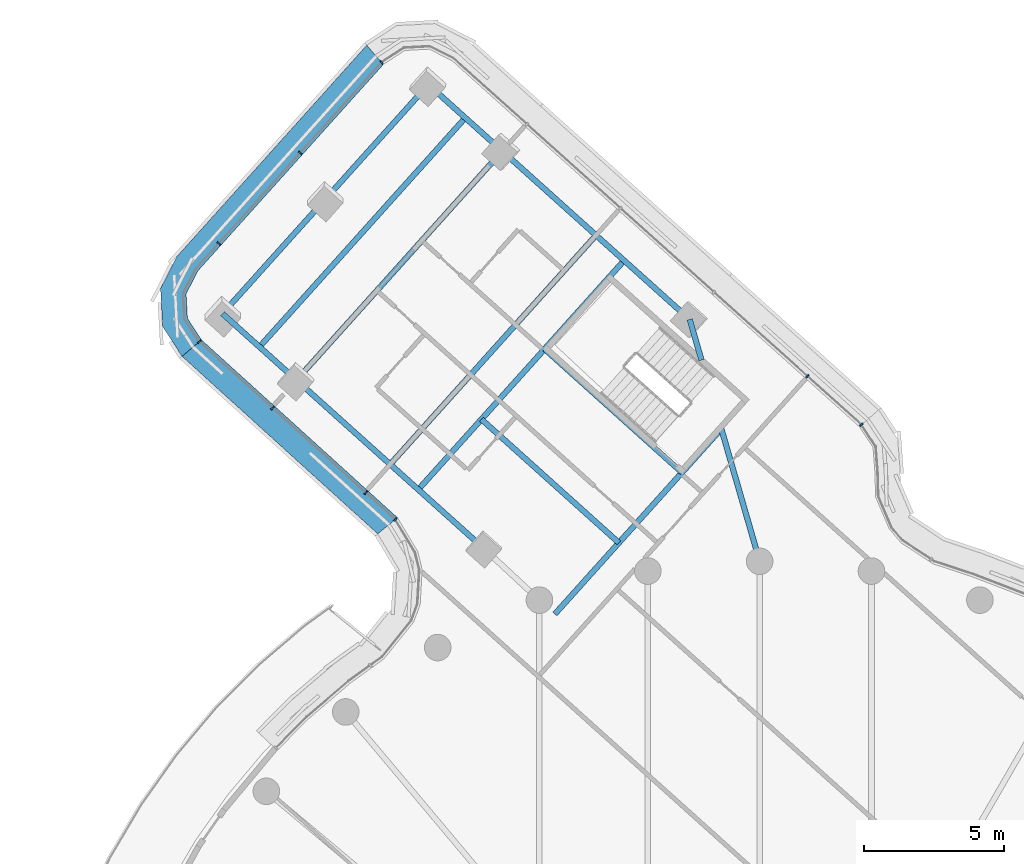
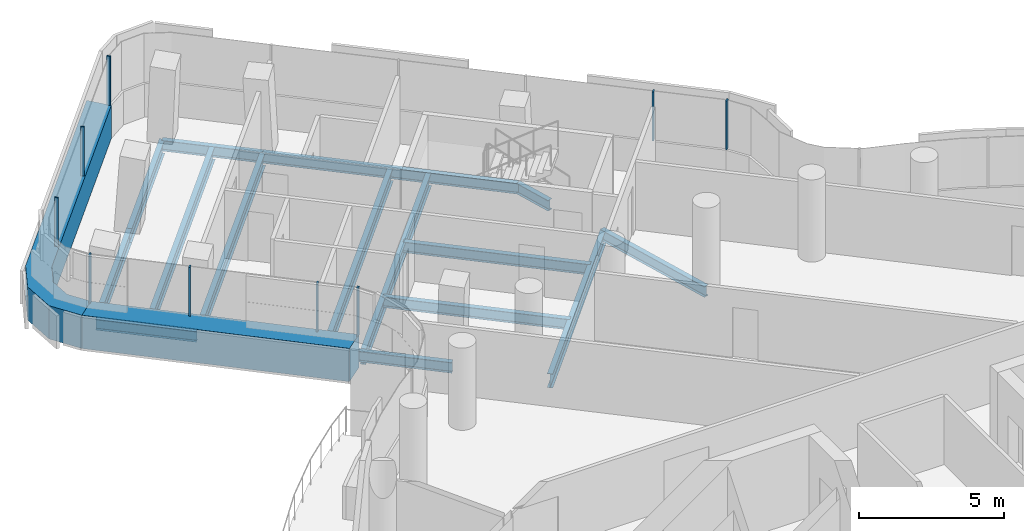
# One storey, part 14 of 31: 15 beams, 11 members, 4 elements without a shape of their own.
"""IFC4 building model written with IfcOpenShell, lengths in metres."""

from ifc_helpers import new_model, si_unit, direction, frame, origin, origin_2d, place, context, subcontext, project, spatial, polyline, rectangle, i_section, outline, extrude, material, layer, layer_set, material_profile, profile_set, type_object, element, aggregate, save


model = new_model("IFC4")

# Units and contexts
model_context = context("Model", 3, precision=1e-05, world=origin(), true_north=direction((0.0, 1.0)))
body_context = subcontext(model_context, "Body", "Model", "MODEL_VIEW")
ifc_project = project(units=[si_unit("LENGTHUNIT", "METRE"), si_unit("AREAUNIT", "SQUARE_METRE"), si_unit("VOLUMEUNIT", "CUBIC_METRE"), si_unit("PLANEANGLEUNIT", "RADIAN"), si_unit("MASSUNIT", "GRAM", prefix="KILO")], contexts=[model_context])

# Site, building, storey
site_placement = place(None, origin())
site = spatial("IfcSite", under=ifc_project, at=site_placement, CompositionType="ELEMENT")
building_placement = place(site_placement, origin())
building = spatial("IfcBuilding", under=site, at=building_placement, Name="Tamarind Cross Interchange Tower", CompositionType="ELEMENT")
storey_placement = place(building_placement, frame((0.0, 0.0, 207.699951171875)))
storey = spatial("IfcBuildingStorey", under=building, at=storey_placement, Name="L52", CompositionType="ELEMENT", Elevation=207.699951171875)

# Beams
ifc_material_1 = material(Name="Steel Q355B", Category="steel")
ifc_material_profile_1 = material_profile(ifc_material_1, i_section(OverallWidth=0.198974609375, OverallDepth=0.446044921875, WebThickness=0.008056640625, FlangeThickness=0.011962890625, FilletRadius=0.012939453125, at=origin_2d()), Name="HN 446x199x8x12")
ifc_profile_set_1 = profile_set([ifc_material_profile_1], Name="Steel Q355B")
beam_type_1 = type_object("IfcBeamType", Name="Composite beam HN 446x199x8x12 Q355B", PredefinedType="BEAM", material=ifc_profile_set_1)
beam_1_placement = place(storey_placement, frame((-11.8349609375, 40.027587890625, -0.363037109375), z_axis=(0.743833898738, -0.66836451962, 0.0), x_axis=(0.66836451962, 0.743833898738, 0.0)))
element("IfcBeam", 1, at=beam_1_placement, inside=storey, type_object=beam_type_1, Name="Beam N-edgeem5", PredefinedType="BEAM", context=body_context, shape_type="SweptSolid", body=[
    extrude(i_section(OverallWidth=0.198974609375, OverallDepth=0.446044921875, WebThickness=0.008056640625, FlangeThickness=0.011962890625, FilletRadius=0.012939453125, at=origin_2d()), origin(), (0.0, 0.0, 1.0), 3.552001953125),
])
beam_2_placement = place(storey_placement, frame((-9.19287109375, 37.653564453125, -0.363037109375), z_axis=(0.743857689885, -0.668338041113, 0.0), x_axis=(0.668338041113, 0.743857689885, 0.0)))
element("IfcBeam", 2, at=beam_2_placement, inside=storey, type_object=beam_type_1, Name="Beam N-edgeem6", PredefinedType="BEAM", context=body_context, shape_type="SweptSolid", body=[
    extrude(i_section(OverallWidth=0.198974609375, OverallDepth=0.446044921875, WebThickness=0.008056640625, FlangeThickness=0.011962890625, FilletRadius=0.012939453125, at=origin_2d()), origin(), (0.0, 0.0, 1.0), 9.000244140625),
])
beam_3_placement = place(storey_placement, frame((-19.186767578125, 31.84521484375, -0.363037109375), z_axis=(0.743833898738, -0.66836451962, 0.0), x_axis=(0.66836451962, 0.743833898738, 0.0)))
element("IfcBeam", 3, at=beam_3_placement, inside=storey, type_object=beam_type_1, Name="Beam N-edgeep2", PredefinedType="BEAM", context=body_context, shape_type="SweptSolid", body=[
    extrude(i_section(OverallWidth=0.198974609375, OverallDepth=0.446044921875, WebThickness=0.008056640625, FlangeThickness=0.011962890625, FilletRadius=0.012939453125, at=origin_2d()), origin(), (0.0, 0.0, 1.0), 3.552001953125),
])
beam_4_placement = place(storey_placement, frame((-16.544677734375, 29.47119140625, -0.363037109375), z_axis=(0.743857689885, -0.668338041113, 0.0), x_axis=(0.668338041113, 0.743857689885, 0.0)))
element("IfcBeam", 4, at=beam_4_placement, inside=storey, type_object=beam_type_1, Name="Beam N-edgeep3", PredefinedType="BEAM", context=body_context, shape_type="SweptSolid", body=[
    extrude(i_section(OverallWidth=0.198974609375, OverallDepth=0.446044921875, WebThickness=0.008056640625, FlangeThickness=0.011962890625, FilletRadius=0.012939453125, at=origin_2d()), origin(), (0.0, 0.0, 1.0), 9.000244140625),
])
beam_5_placement = place(storey_placement, frame((-2.498046875, 31.638427734375, -0.363037109375), z_axis=(0.277768060922, -0.960648168859, 0.0), x_axis=(0.960648168859, 0.277768060922, 0.0)))
element("IfcBeam", 5, at=beam_5_placement, inside=storey, type_object=beam_type_1, Name="Beam N-linkemt0", PredefinedType="BEAM", context=body_context, shape_type="SweptSolid", body=[
    extrude(i_section(OverallWidth=0.198974609375, OverallDepth=0.446044921875, WebThickness=0.008056640625, FlangeThickness=0.011962890625, FilletRadius=0.012939453125, at=origin_2d()), origin(), (0.0, 0.0, 1.0), 1.5126953125),
])
beam_6_placement = place(storey_placement, frame((-1.38525390625, 27.789794921875, -0.363037109375), z_axis=(0.27782385275, -0.960632035091, 0.0), x_axis=(0.960632035091, 0.27782385275, 0.0)))
element("IfcBeam", 6, at=beam_6_placement, inside=storey, type_object=beam_type_1, Name="Beam N-linkemt1", PredefinedType="BEAM", context=body_context, shape_type="SweptSolid", body=[
    extrude(i_section(OverallWidth=0.198974609375, OverallDepth=0.446044921875, WebThickness=0.008056640625, FlangeThickness=0.011962890625, FilletRadius=0.012939453125, at=origin_2d()), origin(), (0.0, 0.0, 1.0), 4.986083984375),
])
beam_7_placement = place(storey_placement, frame((-2.772216796875, 26.17138671875, -0.363037109375), z_axis=(-0.743865917272, 0.66832888395, 0.0), x_axis=(-0.66832888395, -0.743865917272, 0.0)))
element("IfcBeam", 7, at=beam_7_placement, inside=storey, type_object=beam_type_1, Name="Beam N-tr1", PredefinedType="BEAM", context=body_context, shape_type="SweptSolid", body=[
    extrude(i_section(OverallWidth=0.198974609375, OverallDepth=0.446044921875, WebThickness=0.008056640625, FlangeThickness=0.011962890625, FilletRadius=0.012939453125, at=origin_2d()), origin(), (0.0, 0.0, 1.0), 6.599853515625),
])
beam_8_placement = place(storey_placement, frame((-5.02783203125, 23.66064453125, -0.363037109375), z_axis=(-0.743847527134, 0.668349352044, 0.0), x_axis=(-0.668349352044, -0.743847527134, 0.0)))
element("IfcBeam", 8, at=beam_8_placement, inside=storey, type_object=beam_type_1, Name="Beam N-stripp", PredefinedType="BEAM", context=body_context, shape_type="SweptSolid", body=[
    extrude(i_section(OverallWidth=0.198974609375, OverallDepth=0.446044921875, WebThickness=0.008056640625, FlangeThickness=0.011962890625, FilletRadius=0.012939453125, at=origin_2d()), origin(), (0.0, 0.0, 1.0), 6.60009765625),
])
ifc_material_profile_2 = material_profile(ifc_material_1, i_section(OverallWidth=0.198974609375, OverallDepth=0.595947265625, WebThickness=0.010009765625, FlangeThickness=0.014892578125, FilletRadius=0.012939453125, at=origin_2d()), Name="HN 596x199x10x15")
ifc_profile_set_2 = profile_set([ifc_material_profile_2], Name="Steel Q355B")
beam_type_2 = type_object("IfcBeamType", Name="Composite beam HN 596x199x10x15 Q355B", PredefinedType="BEAM", material=ifc_profile_set_2)
beam_9_placement = place(storey_placement, frame((-11.8349609375, 40.027587890625, -0.43798828125), z_axis=(-0.668346505069, -0.74385008514, 0.0), x_axis=(0.74385008514, -0.668346505069, 0.0)))
element("IfcBeam", 9, at=beam_9_placement, inside=storey, type_object=beam_type_2, Name="Beam N-tip0", PredefinedType="BEAM", context=body_context, shape_type="SweptSolid", body=[
    extrude(i_section(OverallWidth=0.198974609375, OverallDepth=0.595947265625, WebThickness=0.010009765625, FlangeThickness=0.014892578125, FilletRadius=0.012939453125, at=origin_2d()), origin(), (0.0, 0.0, 1.0), 5.500244140625),
])
beam_10_placement = place(storey_placement, frame((-15.510986328125, 35.936279296875, -0.43798828125), z_axis=(-0.668344011944, -0.743852325196, 0.0), x_axis=(0.743852325196, -0.668344011944, 0.0)))
element("IfcBeam", 10, at=beam_10_placement, inside=storey, type_object=beam_type_2, Name="Beam N-tip1", PredefinedType="BEAM", context=body_context, shape_type="SweptSolid", body=[
    extrude(i_section(OverallWidth=0.198974609375, OverallDepth=0.595947265625, WebThickness=0.010009765625, FlangeThickness=0.014892578125, FilletRadius=0.012939453125, at=origin_2d()), origin(), (0.0, 0.0, 1.0), 5.499755859375),
])
beam_11_placement = place(storey_placement, frame((-1.368896484375, 27.7333984375, -0.43798828125), z_axis=(-0.668332175199, -0.743862960224, 0.0), x_axis=(0.743862960224, -0.668332175199, 0.0)))
element("IfcBeam", 11, at=beam_11_placement, inside=storey, type_object=beam_type_2, Name="Beam N-x268", PredefinedType="BEAM", context=body_context, shape_type="SweptSolid", body=[
    extrude(i_section(OverallWidth=0.198974609375, OverallDepth=0.595947265625, WebThickness=0.010009765625, FlangeThickness=0.014892578125, FilletRadius=0.012939453125, at=origin_2d()), origin(), (0.0, 0.0, 1.0), 8.895263671875),
])
for number, where, z_axis, x_axis, name in (
    (12, (-4.84130859375, 33.74365234375, -0.43798828125), (-0.668345258546, -0.743851205133, 0.0), (0.743851205133, -0.668345258546, 0.0), "Beam N-x334"),
    (13, (-9.19287109375, 37.653564453125, -0.43798828125), (-0.668345258546, -0.743851205133, 0.0), (0.743851205133, -0.668345258546, 0.0), "Beam N-x393"),
    (14, (-5.845458984375, 34.64599609375, -0.43798828125), (-0.668345258546, -0.743851205133, 0.0), (0.743851205133, -0.668345258546, 0.0), "Beam N-x348"),
    (15, (-10.513916015625, 38.840576171875, -0.43798828125), (-0.668345258546, -0.743851205133, 0.0), (0.743851205133, -0.668345258546, 0.0), "Beam N-x411"),
):
    element("IfcBeam", number, at=place(storey_placement, frame(where, z_axis=z_axis, x_axis=x_axis)), inside=storey, type_object=beam_type_2, Name=name, PredefinedType="BEAM", context=body_context, shape_type="SweptSolid", body=[
        extrude(i_section(OverallWidth=0.198974609375, OverallDepth=0.595947265625, WebThickness=0.010009765625, FlangeThickness=0.014892578125, FilletRadius=0.012939453125, at=origin_2d()), origin(), (0.0, 0.0, 1.0), 11.0),
    ])

# Curtain wall, member
ifc_material_2 = material(Name="Aluminium 6063-T6", Category="aluminium")
ifc_layer = layer(ifc_material_2, 0.139892578125)
ifc_layer_set = layer_set([ifc_layer], Name="Aluminium 6063-T6")
curtain_wall_type = type_object("IfcCurtainWallType", Name="Hotel curtain wall, 4.5 m bays", PredefinedType="NOTDEFINED", material=ifc_layer_set)
curtain_wall_1_placement = place(storey_placement, origin())
curtain_wall_1 = element("IfcCurtainWall", 16, at=curtain_wall_1_placement, inside=storey, type_object=curtain_wall_type, Name="CWS-L52-08", PredefinedType="NOTDEFINED")
ifc_material_3 = material(Name="Aluminium and insulated spandrel panel", Category="aluminium")
member_type_1 = type_object("IfcMemberType", Name="Floor-edge blade transom", PredefinedType="USERDEFINED", material=ifc_material_3)
member_1_placement = place(storey_placement, origin())
member_1 = element("IfcMember", 17, at=member_1_placement, type_object=member_type_1, Name="CWT-L52-08", ObjectType="TRANSOM", PredefinedType="USERDEFINED", context=body_context, shape_type="SweptSolid", body=[
    extrude(outline(polyline([(-13.441650390625, 40.74560546875), (-20.072265625, 33.365966796875), (-20.48681640625, 32.5498046875), (-20.440185546875, 31.676513671875), (-19.9404296875, 30.908935546875), (-20.63134765625, 30.3203125), (-21.326171875, 31.3876953125), (-21.3984375, 32.74267578125), (-20.82080078125, 33.87939453125), (-14.031982421875, 41.435302734375), (-13.441650390625, 40.74560546875)])), origin(), (0.0, 0.0, 1.0), 1.400146484375),
])

curtain_wall_2_placement = place(storey_placement, origin())
curtain_wall_2 = element("IfcCurtainWall", 18, at=curtain_wall_2_placement, inside=storey, type_object=curtain_wall_type, Name="CWS-L52-09", PredefinedType="NOTDEFINED")
member_2_placement = place(storey_placement, origin())
member_2 = element("IfcMember", 19, at=member_2_placement, type_object=member_type_1, Name="CWT-L52-09", ObjectType="TRANSOM", PredefinedType="USERDEFINED", context=body_context, shape_type="SweptSolid", body=[
    extrude(outline(polyline([(-19.9404296875, 30.908935546875), (-12.93603515625, 24.556396484375), (-13.63916015625, 23.979248046875), (-20.63134765625, 30.3203125), (-19.9404296875, 30.908935546875)])), origin(), (0.0, 0.0, 1.0), 1.400146484375),
])

# Curtain wall, members
curtain_wall_3_placement = place(storey_placement, origin())
curtain_wall_3 = element("IfcCurtainWall", 20, at=curtain_wall_3_placement, inside=storey, type_object=curtain_wall_type, Name="CWS-L52-07", PredefinedType="NOTDEFINED")
ifc_material_profile_3 = material_profile(ifc_material_2, rectangle(XDim=0.06005859375, YDim=0.139892578125, at=origin_2d()), Name="Mullion CW2")
ifc_profile_set_3 = profile_set([ifc_material_profile_3], Name="Aluminium 6063-T6")
member_type_2 = type_object("IfcMemberType", Name="Mullion CW2", PredefinedType="MULLION", material=ifc_profile_set_3)
member_3_placement = place(storey_placement, frame((3.6337890625, 27.876708984375, 1.400146484375), z_axis=(0.0, 0.0, 1.0), x_axis=(-0.653111897503, 0.757261414137, 0.0)))
member_3 = element("IfcMember", 21, at=member_3_placement, type_object=member_type_2, Name="CWM-L52-07-00", PredefinedType="MULLION", context=body_context, shape_type="SweptSolid", body=[
    extrude(rectangle(XDim=0.06005859375, YDim=0.139892578125, at=origin_2d()), origin(), (0.0, 0.0, 1.0), 2.059814453125),
])
member_4_placement = place(storey_placement, frame((1.7041015625, 29.6103515625, 1.400146484375), z_axis=(0.0, 0.0, 1.0), x_axis=(-0.743854461689, 0.668341634065, 0.0)))
member_4 = element("IfcMember", 22, at=member_4_placement, type_object=member_type_2, Name="CWM-L52-07-01", PredefinedType="MULLION", context=body_context, shape_type="SweptSolid", body=[
    extrude(rectangle(XDim=0.06005859375, YDim=0.139892578125, at=origin_2d()), origin(), (0.0, 0.0, 1.0), 2.059814453125),
])
aggregate(curtain_wall_3, [member_3, member_4])

# Member
member_5_placement = place(storey_placement, frame((-13.507080078125, 40.822265625, 1.400146484375), z_axis=(0.0, 0.0, 1.0), x_axis=(-0.759716369186, -0.650254595055, 0.0)))
member_5 = element("IfcMember", 23, at=member_5_placement, type_object=member_type_2, Name="CWM-L52-08-00", PredefinedType="MULLION", context=body_context, shape_type="SweptSolid", body=[
    extrude(rectangle(XDim=0.06005859375, YDim=0.139892578125, at=origin_2d()), origin(), (0.0, 0.0, 1.0), 2.059814453125),
])

member_6_placement = place(storey_placement, frame((-16.41162109375, 37.58984375, 1.400146484375), z_axis=(0.0, 0.0, 1.0), x_axis=(-0.668341634065, -0.743854461689, 0.0)))
member_6 = element("IfcMember", 24, at=member_6_placement, type_object=member_type_2, Name="CWM-L52-08-01", PredefinedType="MULLION", context=body_context, shape_type="SweptSolid", body=[
    extrude(rectangle(XDim=0.06005859375, YDim=0.139892578125, at=origin_2d()), origin(), (0.0, 0.0, 1.0), 2.059814453125),
])

member_7_placement = place(storey_placement, frame((-19.31591796875, 34.357421875, 1.400146484375), z_axis=(0.0, 0.0, 1.0), x_axis=(-0.668341634065, -0.743854461689, 0.0)))
member_7 = element("IfcMember", 25, at=member_7_placement, type_object=member_type_2, Name="CWM-L52-08-02", PredefinedType="MULLION", context=body_context, shape_type="SweptSolid", body=[
    extrude(rectangle(XDim=0.06005859375, YDim=0.139892578125, at=origin_2d()), origin(), (0.0, 0.0, 1.0), 2.059814453125),
])

aggregate(curtain_wall_1, [member_5, member_6, member_7, member_1])

member_8_placement = place(storey_placement, frame((-20.017333984375, 30.843505859375, 1.400146484375), z_axis=(0.0, 0.0, 1.0), x_axis=(0.648488090068, -0.761224800595, 0.0)))
member_8 = element("IfcMember", 26, at=member_8_placement, type_object=member_type_2, Name="CWM-L52-09-00", PredefinedType="MULLION", context=body_context, shape_type="SweptSolid", body=[
    extrude(rectangle(XDim=0.06005859375, YDim=0.139892578125, at=origin_2d()), origin(), (0.0, 0.0, 1.0), 2.059814453125),
])

member_9_placement = place(storey_placement, frame((-17.403564453125, 28.47314453125, 1.400146484375), z_axis=(0.0, 0.0, 1.0), x_axis=(0.74074145134, -0.671790221919, 0.0)))
member_9 = element("IfcMember", 27, at=member_9_placement, type_object=member_type_2, Name="CWM-L52-09-01", PredefinedType="MULLION", context=body_context, shape_type="SweptSolid", body=[
    extrude(rectangle(XDim=0.06005859375, YDim=0.139892578125, at=origin_2d()), origin(), (0.0, 0.0, 1.0), 2.059814453125),
])

member_10_placement = place(storey_placement, frame((-14.06884765625, 25.44873046875, 1.400146484375), z_axis=(0.0, 0.0, 1.0), x_axis=(0.74074145134, -0.671790221919, 0.0)))
member_10 = element("IfcMember", 28, at=member_10_placement, type_object=member_type_2, Name="CWM-L52-09-02", PredefinedType="MULLION", context=body_context, shape_type="SweptSolid", body=[
    extrude(rectangle(XDim=0.06005859375, YDim=0.139892578125, at=origin_2d()), origin(), (0.0, 0.0, 1.0), 2.059814453125),
])

aggregate(curtain_wall_2, [member_8, member_9, member_10, member_2])

# Curtain wall, member
curtain_wall_4_placement = place(storey_placement, origin())
curtain_wall_4 = element("IfcCurtainWall", 29, at=curtain_wall_4_placement, inside=storey, type_object=curtain_wall_type, Name="CWS-L52-10", PredefinedType="NOTDEFINED")
member_11_placement = place(storey_placement, frame((-13.01416015625, 24.4921875, 1.400146484375), z_axis=(0.0, 0.0, 1.0), x_axis=(0.63450346006, -0.7729200212, 0.0)))
member_11 = element("IfcMember", 30, at=member_11_placement, type_object=member_type_2, Name="CWM-L52-10-00", PredefinedType="MULLION", context=body_context, shape_type="SweptSolid", body=[
    extrude(rectangle(XDim=0.06005859375, YDim=0.139892578125, at=origin_2d()), origin(), (0.0, 0.0, 1.0), 2.059814453125),
])
aggregate(curtain_wall_4, [member_11])

save(model, "model.ifc")
